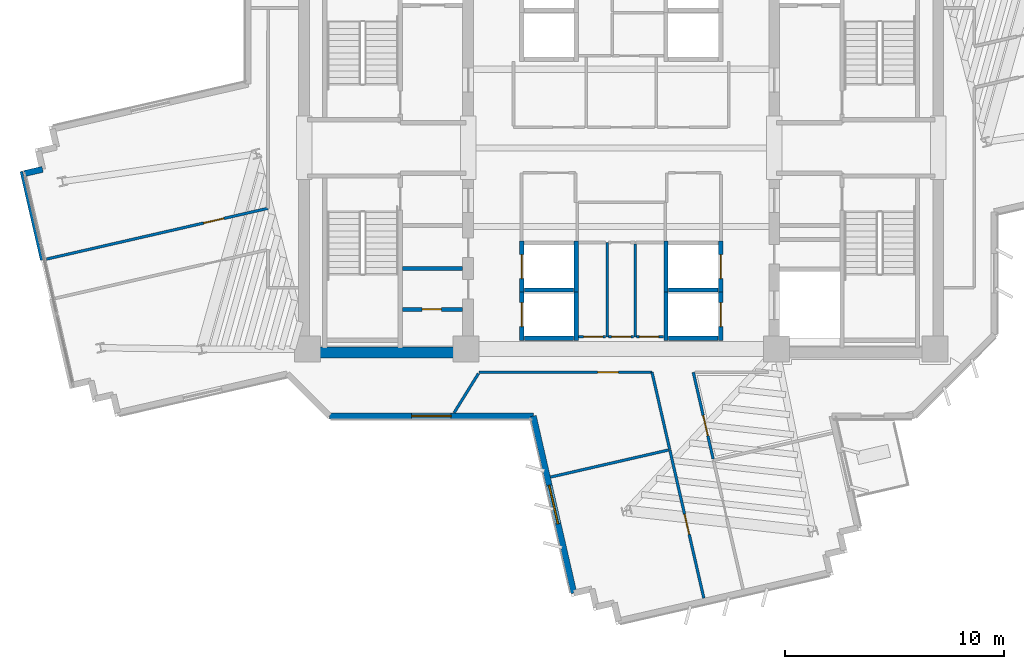
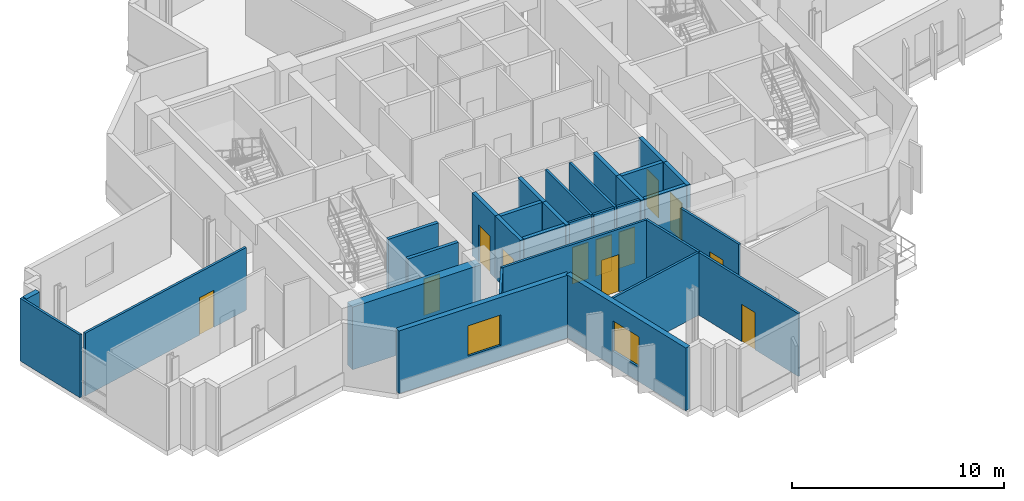
# One storey, part 6 of 13: 31 walls, 12 doors, 2 windows, 14 openings.
"""IFC4 building model written with IfcOpenShell, lengths in metres."""

from ifc_helpers import new_model, si_unit, direction, frame, frame_2d, origin, place, context, subcontext, project, spatial, rectangle, extrude, source, transform, mapped, material, layer, layer_set, type_object, element, fill, save


model = new_model("IFC4")

# Units and contexts
model_context = context("Model", 3, precision=1e-05, world=origin(), true_north=direction((0.0, 1.0)))
body_context = subcontext(model_context, "Body", "Model", "MODEL_VIEW")
ifc_project = project(units=[si_unit("LENGTHUNIT", "METRE"), si_unit("AREAUNIT", "SQUARE_METRE"), si_unit("VOLUMEUNIT", "CUBIC_METRE"), si_unit("PLANEANGLEUNIT", "RADIAN"), si_unit("MASSUNIT", "GRAM", prefix="KILO")], contexts=[model_context])

# Site, building, storey
site_placement = place(None, origin())
site = spatial("IfcSite", under=ifc_project, at=site_placement, CompositionType="ELEMENT")
building_placement = place(site_placement, origin())
building = spatial("IfcBuilding", under=site, at=building_placement, Name="Zahravan Cultural Tower", CompositionType="ELEMENT")
storey_placement = place(building_placement, frame((0.0, 0.0, 174.60009765625)))
storey = spatial("IfcBuildingStorey", under=building, at=storey_placement, Name="L40", CompositionType="ELEMENT", Elevation=174.60009765625)

# Wall, opening, window
ifc_material_1 = material(Name="Precast concrete C40/50", Category="concrete")
ifc_layer_1 = layer(ifc_material_1, 0.280029296875)
ifc_layer_set_1 = layer_set([ifc_layer_1], Name="Precast concrete C40/50")
wall_type_1 = type_object("IfcWallType", Name="EW-TC-280", PredefinedType="SOLIDWALL", material=ifc_layer_set_1)
wall_1_placement = place(storey_placement, frame((33.83740234375, 6.64111328125, 0.0), z_axis=(0.0, 0.0, 1.0), x_axis=(-0.223595405455, 0.974682047983, 0.0)))
wall_1 = element("IfcWall", 1, at=wall_1_placement, inside=storey, type_object=wall_type_1, Name="L40 Exterior Masonry Frame Wall 24", PredefinedType="SOLIDWALL", context=body_context, shape_type="SweptSolid", body=[
    extrude(rectangle(XDim=8.309326171875, YDim=0.280029296875, at=frame_2d((4.15478515625, 0.0))), origin(), (0.0, 0.0, 1.0), 3.619873046875),
])
opening_1_placement = place(wall_1_placement, frame((3.2548828125, 0.0, 0.85009765625)))
opening_1 = element("IfcOpeningElement", 2, at=opening_1_placement, cuts=wall_1, Name="Opening WN-02", PredefinedType="OPENING", context=body_context, shape_type="SweptSolid", body=[
    extrude(rectangle(XDim=1.800048828125, YDim=1.75, at=frame_2d((0.89990234375, 0.875))), frame((0.0, 0.14990234375, 0.0), z_axis=(0.0, -1.0, 0.0), x_axis=(1.0, 0.0, 0.0)), (0.0, 0.0, 1.0), 0.300048828125),
])
ifc_material_2 = material(Name="Low-E solar-control double glazing", Category="glass")
window_type = type_object("IfcWindowType", Name="WN-REC-1800X1750", PartitioningType="DOUBLE_PANEL_VERTICAL", PredefinedType="WINDOW", material=ifc_material_2)
shared_shape_1 = source(origin(), body_context, "Body", "SweptSolid", [
    extrude(rectangle(XDim=1.800048828125, YDim=1.75, at=frame_2d((0.89990234375, 0.875))), frame((0.0, 0.030029296875, 0.0), z_axis=(0.0, -1.0, 0.0), x_axis=(1.0, 0.0, 0.0)), (0.0, 0.0, 1.0), 0.06005859375),
])
window_1_placement = place(opening_1_placement, origin())
window_1 = element("IfcWindow", 3, at=window_1_placement, inside=storey, type_object=window_type, Name="L40 Recessed Solar Window 05", OverallHeight=1.75, OverallWidth=1.800048828125, PartitioningType="DOUBLE_PANEL_VERTICAL", PredefinedType="WINDOW", context=body_context, shape_type="MappedRepresentation", body=[
    mapped(shared_shape_1, transform((0.0, 0.0, 0.0), x_axis=(1.0, 0.0, 0.0), y_axis=(0.0, 1.0, 0.0), z_axis=(0.0, 0.0, 1.0), scale=1.0)),
])
fill(opening_1, window_1)

wall_2_placement = place(storey_placement, frame((31.9794921875, 14.739990234375, 0.0), z_axis=(0.0, 0.0, 1.0), x_axis=(-1.0, 0.0, 0.0)))
wall_2 = element("IfcWall", 4, at=wall_2_placement, inside=storey, type_object=wall_type_1, Name="L40 Exterior Masonry Frame Wall 25", PredefinedType="SOLIDWALL", context=body_context, shape_type="SweptSolid", body=[
    extrude(rectangle(XDim=9.321533203125, YDim=0.280029296875, at=frame_2d((4.66064453125, 0.0))), origin(), (0.0, 0.0, 1.0), 3.619873046875),
])
opening_2_placement = place(wall_2_placement, frame((3.760986328125, 0.0, 0.85009765625)))
opening_2 = element("IfcOpeningElement", 5, at=opening_2_placement, cuts=wall_2, Name="Opening WN-02", PredefinedType="OPENING", context=body_context, shape_type="SweptSolid", body=[
    extrude(rectangle(XDim=1.800048828125, YDim=1.75, at=frame_2d((0.89990234375, 0.875))), frame((0.0, 0.14990234375, 0.0), z_axis=(0.0, -1.0, 0.0), x_axis=(1.0, 0.0, 0.0)), (0.0, 0.0, 1.0), 0.300048828125),
])
window_2_placement = place(opening_2_placement, origin())
window_2 = element("IfcWindow", 6, at=window_2_placement, inside=storey, type_object=window_type, Name="L40 Recessed Solar Window 06", OverallHeight=1.75, OverallWidth=1.800048828125, PartitioningType="DOUBLE_PANEL_VERTICAL", PredefinedType="WINDOW", context=body_context, shape_type="MappedRepresentation", body=[
    mapped(shared_shape_1, transform((0.0, 0.0, 0.0), x_axis=(1.0, 0.0, 0.0), y_axis=(0.0, 1.0, 0.0), z_axis=(0.0, 0.0, 1.0), scale=1.0)),
])
fill(opening_2, window_2)

# Wall, opening, door
ifc_material_3 = material(Name="Gypsum plasterboard partition")
ifc_layer_2 = layer(ifc_material_3, 0.179931640625)
ifc_layer_set_2 = layer_set([ifc_layer_2], Name="Gypsum plasterboard partition")
wall_type_2 = type_object("IfcWallType", Name="W-COMP-180", PredefinedType="PARTITIONING", material=ifc_layer_set_2)
wall_3_placement = place(storey_placement, frame((26.0, 19.6201171875, 0.0), z_axis=(0.0, 0.0, 1.0), x_axis=(1.0, 0.0, 0.0)))
wall_3 = element("IfcWall", 7, at=wall_3_placement, inside=storey, type_object=wall_type_2, Name="L40 Interior Wall 026", PredefinedType="PARTITIONING", context=body_context, shape_type="SweptSolid", body=[
    extrude(rectangle(XDim=2.75, YDim=0.179931640625, at=frame_2d((1.375, 0.0))), origin(), (0.0, 0.0, 1.0), 3.619873046875),
])
opening_3_placement = place(wall_3_placement, frame((0.89990234375, 0.0, 0.0)))
opening_3 = element("IfcOpeningElement", 8, at=opening_3_placement, cuts=wall_3, Name="Opening D-L40-09", PredefinedType="OPENING", context=body_context, shape_type="SweptSolid", body=[
    extrude(rectangle(XDim=0.8798828125, YDim=2.10009765625, at=frame_2d((0.43994140625, 1.050048828125))), frame((0.0, 0.099853515625, 0.0), z_axis=(0.0, -1.0, 0.0), x_axis=(1.0, 0.0, 0.0)), (0.0, 0.0, 1.0), 0.199951171875),
])
ifc_material_4 = material(Name="Steel ASTM A572 Grade 50", Category="steel")
door_type_1 = type_object("IfcDoorType", Name="DR-SVC-880", OperationType="NOTDEFINED", PredefinedType="DOOR", material=ifc_material_4)
shared_shape_2 = source(origin(), body_context, "Body", "SweptSolid", [
    extrude(rectangle(XDim=0.8798828125, YDim=2.10009765625, at=frame_2d((0.43994140625, 1.050048828125))), frame((0.0, 0.02490234375, 0.0), z_axis=(0.0, -1.0, 0.0), x_axis=(1.0, 0.0, 0.0)), (0.0, 0.0, 1.0), 0.050048828125),
])
door_1_placement = place(opening_3_placement, origin())
door_1 = element("IfcDoor", 9, at=door_1_placement, inside=storey, type_object=door_type_1, Name="L40 Door D-L40-09", OperationType="SINGLE_SWING_RIGHT", OverallHeight=2.10009765625, OverallWidth=0.8798828125, PredefinedType="DOOR", context=body_context, shape_type="MappedRepresentation", body=[
    mapped(shared_shape_2, transform((0.0, 0.0, 0.0), x_axis=(1.0, 0.0, 0.0), y_axis=(0.0, 1.0, 0.0), z_axis=(0.0, 0.0, 1.0), scale=1.0)),
])
fill(opening_3, door_1)

ifc_layer_3 = layer(ifc_material_3, 0.125)
ifc_layer_set_3 = layer_set([ifc_layer_3], Name="Gypsum plasterboard partition")
wall_type_3 = type_object("IfcWallType", Name="W-PART-125", PredefinedType="PARTITIONING", material=ifc_layer_set_3)
wall_4_placement = place(storey_placement, frame((36.572509765625, 18.360107421875, 0.0), z_axis=(0.0, 0.0, 1.0), x_axis=(-1.0, 0.0, 0.0)))
wall_4 = element("IfcWall", 10, at=wall_4_placement, inside=storey, type_object=wall_type_3, Name="L40 Interior Wall 065", PredefinedType="PARTITIONING", context=body_context, shape_type="SweptSolid", body=[
    extrude(rectangle(XDim=1.14501953125, YDim=0.125, at=frame_2d((0.572509765625, 0.0))), origin(), (0.0, 0.0, 1.0), 3.619873046875),
])
opening_4_placement = place(wall_4_placement, frame((0.132568359375, 0.0, 0.0)))
opening_4 = element("IfcOpeningElement", 11, at=opening_4_placement, cuts=wall_4, Name="Opening D-L40-21", PredefinedType="OPENING", context=body_context, shape_type="SweptSolid", body=[
    extrude(rectangle(XDim=0.8798828125, YDim=2.10009765625, at=frame_2d((0.43994140625, 1.050048828125))), frame((0.0, 0.072509765625, 0.0), z_axis=(0.0, -1.0, 0.0), x_axis=(1.0, 0.0, 0.0)), (0.0, 0.0, 1.0), 0.14501953125),
])
ifc_material_5 = material(Name="Anodised bronze-aluminium mullion", Category="aluminium")
door_type_2 = type_object("IfcDoorType", Name="DR-ROOM-880", OperationType="NOTDEFINED", PredefinedType="DOOR", material=ifc_material_5)
door_2_placement = place(opening_4_placement, origin())
door_2 = element("IfcDoor", 12, at=door_2_placement, inside=storey, type_object=door_type_2, Name="L40 Door D-L40-21", OperationType="SINGLE_SWING_RIGHT", OverallHeight=2.10009765625, OverallWidth=0.8798828125, PredefinedType="DOOR", context=body_context, shape_type="MappedRepresentation", body=[
    mapped(shared_shape_2, transform((0.0, 0.0, 0.0), x_axis=(1.0, 0.0, 0.0), y_axis=(0.0, 1.0, 0.0), z_axis=(0.0, 0.0, 1.0), scale=1.0)),
])
fill(opening_4, door_2)

wall_5_placement = place(storey_placement, frame((35.29248046875, 18.360107421875, 0.0), z_axis=(0.0, 0.0, 1.0), x_axis=(-1.0, 0.0, 0.0)))
wall_5 = element("IfcWall", 13, at=wall_5_placement, inside=storey, type_object=wall_type_3, Name="L40 Interior Wall 067", PredefinedType="PARTITIONING", context=body_context, shape_type="SweptSolid", body=[
    extrude(rectangle(XDim=1.237548828125, YDim=0.125, at=frame_2d((0.61865234375, 0.0))), origin(), (0.0, 0.0, 1.0), 3.619873046875),
])
opening_5_placement = place(wall_5_placement, frame((0.125, 0.0, 0.0)))
opening_5 = element("IfcOpeningElement", 14, at=opening_5_placement, cuts=wall_5, Name="Opening D-L40-20", PredefinedType="OPENING", context=body_context, shape_type="SweptSolid", body=[
    extrude(rectangle(XDim=0.8798828125, YDim=2.10009765625, at=frame_2d((0.43994140625, 1.050048828125))), frame((0.0, 0.072509765625, 0.0), z_axis=(0.0, -1.0, 0.0), x_axis=(1.0, 0.0, 0.0)), (0.0, 0.0, 1.0), 0.14501953125),
])
door_3_placement = place(opening_5_placement, origin())
door_3 = element("IfcDoor", 15, at=door_3_placement, inside=storey, type_object=door_type_2, Name="L40 Door D-L40-20", OperationType="SINGLE_SWING_LEFT", OverallHeight=2.10009765625, OverallWidth=0.8798828125, PredefinedType="DOOR", context=body_context, shape_type="MappedRepresentation", body=[
    mapped(shared_shape_2, transform((0.0, 0.0, 0.0), x_axis=(1.0, 0.0, 0.0), y_axis=(0.0, 1.0, 0.0), z_axis=(0.0, 0.0, 1.0), scale=1.0)),
])
fill(opening_5, door_3)

wall_6_placement = place(storey_placement, frame((37.945068359375, 18.360107421875, 0.0), z_axis=(0.0, 0.0, 1.0), x_axis=(-1.0, 0.0, 0.0)))
wall_6 = element("IfcWall", 16, at=wall_6_placement, inside=storey, type_object=wall_type_3, Name="L40 Interior Wall 069", PredefinedType="PARTITIONING", context=body_context, shape_type="SweptSolid", body=[
    extrude(rectangle(XDim=1.237548828125, YDim=0.125, at=frame_2d((0.61865234375, 0.0))), origin(), (0.0, 0.0, 1.0), 3.619873046875),
])
opening_6_placement = place(wall_6_placement, frame((0.232421875, 0.0, 0.0)))
opening_6 = element("IfcOpeningElement", 17, at=opening_6_placement, cuts=wall_6, Name="Opening D-L40-22", PredefinedType="OPENING", context=body_context, shape_type="SweptSolid", body=[
    extrude(rectangle(XDim=0.8798828125, YDim=2.10009765625, at=frame_2d((0.43994140625, 1.050048828125))), frame((0.0, 0.072509765625, 0.0), z_axis=(0.0, -1.0, 0.0), x_axis=(1.0, 0.0, 0.0)), (0.0, 0.0, 1.0), 0.14501953125),
])
door_4_placement = place(opening_6_placement, origin())
door_4 = element("IfcDoor", 18, at=door_4_placement, inside=storey, type_object=door_type_2, Name="L40 Door D-L40-22", OperationType="SINGLE_SWING_LEFT", OverallHeight=2.10009765625, OverallWidth=0.8798828125, PredefinedType="DOOR", context=body_context, shape_type="MappedRepresentation", body=[
    mapped(shared_shape_2, transform((0.0, 0.0, 0.0), x_axis=(1.0, 0.0, 0.0), y_axis=(0.0, 1.0, 0.0), z_axis=(0.0, 0.0, 1.0), scale=1.0)),
])
fill(opening_6, door_4)

wall_7_placement = place(storey_placement, frame((29.487548828125, 16.739990234375, 0.0), z_axis=(0.0, 0.0, 1.0), x_axis=(1.0, 0.0, 0.0)))
wall_7 = element("IfcWall", 19, at=wall_7_placement, inside=storey, type_object=wall_type_3, Name="L40 Interior Wall 088", PredefinedType="PARTITIONING", context=body_context, shape_type="SweptSolid", body=[
    extrude(rectangle(XDim=7.922119140625, YDim=0.125, at=frame_2d((3.9609375, 0.0))), origin(), (0.0, 0.0, 1.0), 3.619873046875),
])
opening_7_placement = place(wall_7_placement, frame((5.438232421875, 0.0, 0.0)))
opening_7 = element("IfcOpeningElement", 20, at=opening_7_placement, cuts=wall_7, Name="Opening D-L40-28", PredefinedType="OPENING", context=body_context, shape_type="SweptSolid", body=[
    extrude(rectangle(XDim=0.949951171875, YDim=2.14990234375, at=frame_2d((0.47509765625, 1.074951171875))), frame((0.0, 0.072509765625, 0.0), z_axis=(0.0, -1.0, 0.0), x_axis=(1.0, 0.0, 0.0)), (0.0, 0.0, 1.0), 0.14501953125),
])
door_type_3 = type_object("IfcDoorType", Name="DR-ROOM-950", OperationType="NOTDEFINED", PredefinedType="DOOR", material=ifc_material_5)
shared_shape_3 = source(origin(), body_context, "Body", "SweptSolid", [
    extrude(rectangle(XDim=0.949951171875, YDim=2.14990234375, at=frame_2d((0.47509765625, 1.074951171875))), frame((0.0, 0.02490234375, 0.0), z_axis=(0.0, -1.0, 0.0), x_axis=(1.0, 0.0, 0.0)), (0.0, 0.0, 1.0), 0.050048828125),
])
door_5_placement = place(opening_7_placement, origin())
door_5 = element("IfcDoor", 21, at=door_5_placement, inside=storey, type_object=door_type_3, Name="L40 Door D-L40-28", OperationType="SINGLE_SWING_LEFT", OverallHeight=2.14990234375, OverallWidth=0.949951171875, PredefinedType="DOOR", context=body_context, shape_type="MappedRepresentation", body=[
    mapped(shared_shape_3, transform((0.0, 0.0, 0.0), x_axis=(1.0, 0.0, 0.0), y_axis=(0.0, 1.0, 0.0), z_axis=(0.0, 0.0, 1.0), scale=1.0)),
])
fill(opening_7, door_5)

wall_8_placement = place(storey_placement, frame((40.206298828125, 12.778076171875, 0.0), z_axis=(0.0, 0.0, 1.0), x_axis=(-0.223552104445, 0.97469198037, 0.0)))
wall_8 = element("IfcWall", 22, at=wall_8_placement, inside=storey, type_object=wall_type_3, Name="L40 Interior Wall 094", PredefinedType="PARTITIONING", context=body_context, shape_type="SweptSolid", body=[
    extrude(rectangle(XDim=4.064697265625, YDim=0.125, at=frame_2d((2.0322265625, 0.0))), origin(), (0.0, 0.0, 1.0), 3.619873046875),
])
opening_8_placement = place(wall_8_placement, frame((1.090087890625, 0.0, 0.0)))
opening_8 = element("IfcOpeningElement", 23, at=opening_8_placement, cuts=wall_8, Name="Opening D-L40-30", PredefinedType="OPENING", context=body_context, shape_type="SweptSolid", body=[
    extrude(rectangle(XDim=0.949951171875, YDim=2.14990234375, at=frame_2d((0.47509765625, 1.074951171875))), frame((0.0, 0.072509765625, 0.0), z_axis=(0.0, -1.0, 0.0), x_axis=(1.0, 0.0, 0.0)), (0.0, 0.0, 1.0), 0.14501953125),
])
door_6_placement = place(opening_8_placement, origin())
door_6 = element("IfcDoor", 24, at=door_6_placement, inside=storey, type_object=door_type_3, Name="L40 Door D-L40-30", OperationType="SINGLE_SWING_LEFT", OverallHeight=2.14990234375, OverallWidth=0.949951171875, PredefinedType="DOOR", context=body_context, shape_type="MappedRepresentation", body=[
    mapped(shared_shape_3, transform((0.0, 0.0, 0.0), x_axis=(1.0, 0.0, 0.0), y_axis=(0.0, 1.0, 0.0), z_axis=(0.0, 0.0, 1.0), scale=1.0)),
])
fill(opening_8, door_6)

wall_9_placement = place(storey_placement, frame((38.226806640625, 13.177978515625, 0.0), z_axis=(0.0, 0.0, 1.0), x_axis=(0.223573066544, -0.974687172336, 0.0)))
wall_9 = element("IfcWall", 25, at=wall_9_placement, inside=storey, type_object=wall_type_3, Name="L40 Interior Wall 096", PredefinedType="PARTITIONING", context=body_context, shape_type="SweptSolid", body=[
    extrude(rectangle(XDim=6.945068359375, YDim=0.125, at=frame_2d((3.47265625, 0.0))), origin(), (0.0, 0.0, 1.0), 3.619873046875),
])
opening_9_placement = place(wall_9_placement, frame((2.99755859375, 0.0, 0.0)))
opening_9 = element("IfcOpeningElement", 26, at=opening_9_placement, cuts=wall_9, Name="Opening D-L40-29", PredefinedType="OPENING", context=body_context, shape_type="SweptSolid", body=[
    extrude(rectangle(XDim=0.949951171875, YDim=2.14990234375, at=frame_2d((0.47509765625, 1.074951171875))), frame((0.0, 0.072509765625, 0.0), z_axis=(0.0, -1.0, 0.0), x_axis=(1.0, 0.0, 0.0)), (0.0, 0.0, 1.0), 0.14501953125),
])
door_7_placement = place(opening_9_placement, origin())
door_7 = element("IfcDoor", 27, at=door_7_placement, inside=storey, type_object=door_type_3, Name="L40 Door D-L40-29", OperationType="SINGLE_SWING_RIGHT", OverallHeight=2.14990234375, OverallWidth=0.949951171875, PredefinedType="DOOR", context=body_context, shape_type="MappedRepresentation", body=[
    mapped(shared_shape_3, transform((0.0, 0.0, 0.0), x_axis=(1.0, 0.0, 0.0), y_axis=(0.0, 1.0, 0.0), z_axis=(0.0, 0.0, 1.0), scale=1.0)),
])
fill(opening_9, door_7)

wall_10_placement = place(storey_placement, frame((19.85009765625, 24.239013671875, 0.0), z_axis=(0.0, 0.0, 1.0), x_axis=(-0.974685214681, -0.223581600949, 0.0)))
wall_10 = element("IfcWall", 28, at=wall_10_placement, inside=storey, type_object=wall_type_3, Name="L40 Interior Wall 098", PredefinedType="PARTITIONING", context=body_context, shape_type="SweptSolid", body=[
    extrude(rectangle(XDim=10.396484375, YDim=0.125, at=frame_2d((5.1982421875, 0.0))), origin(), (0.0, 0.0, 1.0), 3.619873046875),
])
opening_10_placement = place(wall_10_placement, frame((2.078125, 0.0, 0.0)))
opening_10 = element("IfcOpeningElement", 29, at=opening_10_placement, cuts=wall_10, Name="Opening D-L40-26", PredefinedType="OPENING", context=body_context, shape_type="SweptSolid", body=[
    extrude(rectangle(XDim=0.949951171875, YDim=2.14990234375, at=frame_2d((0.47509765625, 1.074951171875))), frame((0.0, 0.072509765625, 0.0), z_axis=(0.0, -1.0, 0.0), x_axis=(1.0, 0.0, 0.0)), (0.0, 0.0, 1.0), 0.14501953125),
])
door_8_placement = place(opening_10_placement, origin())
door_8 = element("IfcDoor", 30, at=door_8_placement, inside=storey, type_object=door_type_3, Name="L40 Door D-L40-26", OperationType="SINGLE_SWING_LEFT", OverallHeight=2.14990234375, OverallWidth=0.949951171875, PredefinedType="DOOR", context=body_context, shape_type="MappedRepresentation", body=[
    mapped(shared_shape_3, transform((0.0, 0.0, 0.0), x_axis=(1.0, 0.0, 0.0), y_axis=(0.0, 1.0, 0.0), z_axis=(0.0, 0.0, 1.0), scale=1.0)),
])
fill(opening_10, door_8)

ifc_material_6 = material(Name="Concrete C45/55", Category="concrete")
ifc_layer_4 = layer(ifc_material_6, 0.199951171875)
ifc_layer_set_4 = layer_set([ifc_layer_4], Name="Concrete C45/55")
wall_type_4 = type_object("IfcWallType", Name="W-SHAFT-200", PredefinedType="SOLIDWALL", material=ifc_layer_set_4)
wall_11_placement = place(storey_placement, frame((31.449951171875, 20.39990234375, 0.0), z_axis=(0.0, 0.0, 1.0), x_axis=(0.0, 1.0, 0.0)))
wall_11 = element("IfcWall", 31, at=wall_11_placement, inside=storey, type_object=wall_type_4, Name="L40 Interior Wall 043", PredefinedType="SOLIDWALL", context=body_context, shape_type="SweptSolid", body=[
    extrude(rectangle(XDim=2.35009765625, YDim=0.199951171875, at=frame_2d((1.175048828125, 0.0))), origin(), (0.0, 0.0, 1.0), 3.619873046875),
])
opening_11_placement = place(wall_11_placement, frame((0.625, 0.0, 0.0)))
opening_11 = element("IfcOpeningElement", 32, at=opening_11_placement, cuts=wall_11, Name="Opening LD-L40-04", PredefinedType="OPENING", context=body_context, shape_type="SweptSolid", body=[
    extrude(rectangle(XDim=1.10009765625, YDim=2.14990234375, at=frame_2d((0.550048828125, 1.074951171875))), frame((0.0, 0.10986328125, 0.0), z_axis=(0.0, -1.0, 0.0), x_axis=(1.0, 0.0, 0.0)), (0.0, 0.0, 1.0), 0.219970703125),
])
door_type_4 = type_object("IfcDoorType", Name="DR-LIFT-1100", OperationType="DOUBLE_DOOR_SLIDING", PredefinedType="DOOR", material=ifc_material_4)
shared_shape_4 = source(origin(), body_context, "Body", "SweptSolid", [
    extrude(rectangle(XDim=1.10009765625, YDim=2.14990234375, at=frame_2d((0.550048828125, 1.074951171875))), frame((0.0, 0.02490234375, 0.0), z_axis=(0.0, -1.0, 0.0), x_axis=(1.0, 0.0, 0.0)), (0.0, 0.0, 1.0), 0.050048828125),
])
door_9_placement = place(opening_11_placement, origin())
door_9 = element("IfcDoor", 33, at=door_9_placement, inside=storey, type_object=door_type_4, Name="L40 Door LD-L40-04", OperationType="DOUBLE_DOOR_SLIDING", OverallHeight=2.14990234375, OverallWidth=1.10009765625, PredefinedType="DOOR", context=body_context, shape_type="MappedRepresentation", body=[
    mapped(shared_shape_4, transform((0.0, 0.0, 0.0), x_axis=(1.0, 0.0, 0.0), y_axis=(0.0, 1.0, 0.0), z_axis=(0.0, 0.0, 1.0), scale=1.0)),
])
fill(opening_11, door_9)

wall_12_placement = place(storey_placement, frame((31.449951171875, 18.199951171875, 0.0), z_axis=(0.0, 0.0, 1.0), x_axis=(0.0, 1.0, 0.0)))
wall_12 = element("IfcWall", 34, at=wall_12_placement, inside=storey, type_object=wall_type_4, Name="L40 Interior Wall 047", PredefinedType="SOLIDWALL", context=body_context, shape_type="SweptSolid", body=[
    extrude(rectangle(XDim=2.35009765625, YDim=0.199951171875, at=frame_2d((1.175048828125, 0.0))), origin(), (0.0, 0.0, 1.0), 3.619873046875),
])
opening_12_placement = place(wall_12_placement, frame((0.625, 0.0, 0.0)))
opening_12 = element("IfcOpeningElement", 35, at=opening_12_placement, cuts=wall_12, Name="Opening LD-L40-05", PredefinedType="OPENING", context=body_context, shape_type="SweptSolid", body=[
    extrude(rectangle(XDim=1.10009765625, YDim=2.14990234375, at=frame_2d((0.550048828125, 1.074951171875))), frame((0.0, 0.10986328125, 0.0), z_axis=(0.0, -1.0, 0.0), x_axis=(1.0, 0.0, 0.0)), (0.0, 0.0, 1.0), 0.219970703125),
])
door_10_placement = place(opening_12_placement, origin())
door_10 = element("IfcDoor", 36, at=door_10_placement, inside=storey, type_object=door_type_4, Name="L40 Door LD-L40-05", OperationType="DOUBLE_DOOR_SLIDING", OverallHeight=2.14990234375, OverallWidth=1.10009765625, PredefinedType="DOOR", context=body_context, shape_type="MappedRepresentation", body=[
    mapped(shared_shape_4, transform((0.0, 0.0, 0.0), x_axis=(1.0, 0.0, 0.0), y_axis=(0.0, 1.0, 0.0), z_axis=(0.0, 0.0, 1.0), scale=1.0)),
])
fill(opening_12, door_10)

wall_13_placement = place(storey_placement, frame((40.550048828125, 20.39990234375, 0.0), z_axis=(0.0, 0.0, 1.0), x_axis=(0.0, 1.0, 0.0)))
wall_13 = element("IfcWall", 37, at=wall_13_placement, inside=storey, type_object=wall_type_4, Name="L40 Interior Wall 051", PredefinedType="SOLIDWALL", context=body_context, shape_type="SweptSolid", body=[
    extrude(rectangle(XDim=2.35009765625, YDim=0.199951171875, at=frame_2d((1.175048828125, 0.0))), origin(), (0.0, 0.0, 1.0), 3.619873046875),
])
opening_13_placement = place(wall_13_placement, frame((0.625, 0.0, 0.0)))
opening_13 = element("IfcOpeningElement", 38, at=opening_13_placement, cuts=wall_13, Name="Opening LD-L40-06", PredefinedType="OPENING", context=body_context, shape_type="SweptSolid", body=[
    extrude(rectangle(XDim=1.10009765625, YDim=2.14990234375, at=frame_2d((0.550048828125, 1.074951171875))), frame((0.0, 0.10986328125, 0.0), z_axis=(0.0, -1.0, 0.0), x_axis=(1.0, 0.0, 0.0)), (0.0, 0.0, 1.0), 0.219970703125),
])
door_11_placement = place(opening_13_placement, origin())
door_11 = element("IfcDoor", 39, at=door_11_placement, inside=storey, type_object=door_type_4, Name="L40 Door LD-L40-06", OperationType="DOUBLE_DOOR_SLIDING", OverallHeight=2.14990234375, OverallWidth=1.10009765625, PredefinedType="DOOR", context=body_context, shape_type="MappedRepresentation", body=[
    mapped(shared_shape_4, transform((0.0, 0.0, 0.0), x_axis=(1.0, 0.0, 0.0), y_axis=(0.0, 1.0, 0.0), z_axis=(0.0, 0.0, 1.0), scale=1.0)),
])
fill(opening_13, door_11)

wall_14_placement = place(storey_placement, frame((40.550048828125, 18.199951171875, 0.0), z_axis=(0.0, 0.0, 1.0), x_axis=(0.0, 1.0, 0.0)))
wall_14 = element("IfcWall", 40, at=wall_14_placement, inside=storey, type_object=wall_type_4, Name="L40 Interior Wall 055", PredefinedType="SOLIDWALL", context=body_context, shape_type="SweptSolid", body=[
    extrude(rectangle(XDim=2.35009765625, YDim=0.199951171875, at=frame_2d((1.175048828125, 0.0))), origin(), (0.0, 0.0, 1.0), 3.619873046875),
])
opening_14_placement = place(wall_14_placement, frame((0.625, 0.0, 0.0)))
opening_14 = element("IfcOpeningElement", 41, at=opening_14_placement, cuts=wall_14, Name="Opening LD-L40-07", PredefinedType="OPENING", context=body_context, shape_type="SweptSolid", body=[
    extrude(rectangle(XDim=1.10009765625, YDim=2.14990234375, at=frame_2d((0.550048828125, 1.074951171875))), frame((0.0, 0.10986328125, 0.0), z_axis=(0.0, -1.0, 0.0), x_axis=(1.0, 0.0, 0.0)), (0.0, 0.0, 1.0), 0.219970703125),
])
door_12_placement = place(opening_14_placement, origin())
door_12 = element("IfcDoor", 42, at=door_12_placement, inside=storey, type_object=door_type_4, Name="L40 Door LD-L40-07", OperationType="DOUBLE_DOOR_SLIDING", OverallHeight=2.14990234375, OverallWidth=1.10009765625, PredefinedType="DOOR", context=body_context, shape_type="MappedRepresentation", body=[
    mapped(shared_shape_4, transform((0.0, 0.0, 0.0), x_axis=(1.0, 0.0, 0.0), y_axis=(0.0, 1.0, 0.0), z_axis=(0.0, 0.0, 1.0), scale=1.0)),
])
fill(opening_14, door_12)

# Walls
ifc_material_7 = material(Name="Concrete C60/75", Category="concrete")
ifc_layer_5 = layer(ifc_material_7, 0.5)
ifc_layer_set_5 = layer_set([ifc_layer_5], Name="Concrete C60/75")
wall_type_5 = type_object("IfcWallType", Name="CW-SHEAR-500-C60", PredefinedType="SHEAR", material=ifc_layer_set_5)
shared_shape_5 = source(origin(), body_context, "Body", "SweptSolid", [
    extrude(rectangle(XDim=7.0, YDim=0.5, at=frame_2d((3.5, 0.0))), origin(), (0.0, 0.0, 1.0), 3.619873046875),
])
wall_15_placement = place(storey_placement, frame((21.75, 17.64990234375, 0.0), z_axis=(0.0, 0.0, 1.0), x_axis=(1.0, 0.0, 0.0)))
element("IfcWall", 43, at=wall_15_placement, inside=storey, type_object=wall_type_5, Name="L40 Core Shear Wall CW-W-S-L40", PredefinedType="SHEAR", context=body_context, shape_type="MappedRepresentation", body=[
    mapped(shared_shape_5, transform((0.0, 0.0, 0.0), x_axis=(1.0, 0.0, 0.0), y_axis=(0.0, 1.0, 0.0), z_axis=(0.0, 0.0, 1.0), scale=1.0)),
])
shared_shape_6 = source(origin(), body_context, "Body", "SweptSolid", [
    extrude(rectangle(XDim=0.849853515625, YDim=0.280029296875, at=frame_2d((0.4248046875, 0.0))), origin(), (0.0, 0.0, 1.0), 3.619873046875),
])
wall_16_placement = place(storey_placement, frame((8.7109375, 25.828857421875, 0.0), z_axis=(0.0, 0.0, 1.0), x_axis=(0.974704946586, 0.223495563939, 0.0)))
element("IfcWall", 44, at=wall_16_placement, inside=storey, type_object=wall_type_1, Name="L40 Exterior Masonry Frame Wall 32", PredefinedType="SOLIDWALL", context=body_context, shape_type="MappedRepresentation", body=[
    mapped(shared_shape_6, transform((0.0, 0.0, 0.0), x_axis=(1.0, 0.0, 0.0), y_axis=(0.0, 1.0, 0.0), z_axis=(0.0, 0.0, 1.0), scale=1.0)),
])
shared_shape_7 = source(origin(), body_context, "Body", "SweptSolid", [
    extrude(rectangle(XDim=2.75, YDim=0.179931640625, at=frame_2d((1.375, 0.0))), origin(), (0.0, 0.0, 1.0), 3.619873046875),
])
wall_17_placement = place(storey_placement, frame((26.0, 21.47998046875, 0.0), z_axis=(0.0, 0.0, 1.0), x_axis=(1.0, 0.0, 0.0)))
element("IfcWall", 45, at=wall_17_placement, inside=storey, type_object=wall_type_2, Name="L40 Interior Wall 027", PredefinedType="PARTITIONING", context=body_context, shape_type="MappedRepresentation", body=[
    mapped(shared_shape_7, transform((0.0, 0.0, 0.0), x_axis=(1.0, 0.0, 0.0), y_axis=(0.0, 1.0, 0.0), z_axis=(0.0, 0.0, 1.0), scale=1.0)),
])
shared_shape_8 = source(origin(), body_context, "Body", "SweptSolid", [
    extrude(rectangle(XDim=2.260009765625, YDim=0.199951171875, at=frame_2d((1.1298828125, 0.0))), origin(), (0.0, 0.0, 1.0), 3.619873046875),
])
for number, where, z_axis, x_axis, name in (
    (46, (31.570068359375, 20.5, 0.0), (0.0, 0.0, 1.0), (1.0, 0.0, 0.0), "L40 Interior Wall 045"),
    (47, (31.570068359375, 18.300048828125, 0.0), (0.0, 0.0, 1.0), (1.0, 0.0, 0.0), "L40 Interior Wall 049"),
    (48, (38.169921875, 20.5, 0.0), (0.0, 0.0, 1.0), (1.0, 0.0, 0.0), "L40 Interior Wall 052"),
    (49, (38.169921875, 18.300048828125, 0.0), (0.0, 0.0, 1.0), (1.0, 0.0, 0.0), "L40 Interior Wall 056"),
):
    element("IfcWall", number, at=place(storey_placement, frame(where, z_axis=z_axis, x_axis=x_axis)), inside=storey, type_object=wall_type_4, Name=name, PredefinedType="SOLIDWALL", context=body_context, shape_type="MappedRepresentation", body=[
        mapped(shared_shape_8, transform((0.0, 0.0, 0.0), x_axis=(1.0, 0.0, 0.0), y_axis=(0.0, 1.0, 0.0), z_axis=(0.0, 0.0, 1.0), scale=1.0)),
    ])
shared_shape_9 = source(origin(), body_context, "Body", "SweptSolid", [
    extrude(rectangle(XDim=2.35009765625, YDim=0.199951171875, at=frame_2d((1.175048828125, 0.0))), origin(), (0.0, 0.0, 1.0), 3.619873046875),
])
for number, where, z_axis, x_axis, name in (
    (50, (33.949951171875, 20.39990234375, 0.0), (0.0, 0.0, 1.0), (0.0, 1.0, 0.0), "L40 Interior Wall 044"),
    (51, (33.949951171875, 18.199951171875, 0.0), (0.0, 0.0, 1.0), (0.0, 1.0, 0.0), "L40 Interior Wall 048"),
    (52, (38.050048828125, 20.39990234375, 0.0), (0.0, 0.0, 1.0), (0.0, 1.0, 0.0), "L40 Interior Wall 050"),
    (53, (38.050048828125, 18.199951171875, 0.0), (0.0, 0.0, 1.0), (0.0, 1.0, 0.0), "L40 Interior Wall 054"),
):
    element("IfcWall", number, at=place(storey_placement, frame(where, z_axis=z_axis, x_axis=x_axis)), inside=storey, type_object=wall_type_4, Name=name, PredefinedType="SOLIDWALL", context=body_context, shape_type="MappedRepresentation", body=[
        mapped(shared_shape_9, transform((0.0, 0.0, 0.0), x_axis=(1.0, 0.0, 0.0), y_axis=(0.0, 1.0, 0.0), z_axis=(0.0, 0.0, 1.0), scale=1.0)),
    ])
shared_shape_10 = source(origin(), body_context, "Body", "SweptSolid", [
    extrude(rectangle(XDim=5.52734375, YDim=0.125, at=frame_2d((2.763671875, 0.0))), origin(), (0.0, 0.0, 1.0), 3.619873046875),
])
wall_18_placement = place(storey_placement, frame((38.156494140625, 13.182373046875, 0.0), z_axis=(0.0, 0.0, 1.0), x_axis=(-0.974684411123, -0.223585103961, 0.0)))
element("IfcWall", 54, at=wall_18_placement, inside=storey, type_object=wall_type_3, Name="L40 Interior Wall 090", PredefinedType="PARTITIONING", context=body_context, shape_type="MappedRepresentation", body=[
    mapped(shared_shape_10, transform((0.0, 0.0, 0.0), x_axis=(1.0, 0.0, 0.0), y_axis=(0.0, 1.0, 0.0), z_axis=(0.0, 0.0, 1.0), scale=1.0)),
])
shared_shape_11 = source(origin(), body_context, "Body", "SweptSolid", [
    extrude(rectangle(XDim=4.159912109375, YDim=0.125, at=frame_2d((2.080078125, 0.0))), origin(), (0.0, 0.0, 1.0), 3.619873046875),
])
wall_19_placement = place(storey_placement, frame((9.497314453125, 21.8642578125, 0.0), z_axis=(0.0, 0.0, 1.0), x_axis=(-0.223599186995, 0.974681180477, 0.0)))
element("IfcWall", 55, at=wall_19_placement, inside=storey, type_object=wall_type_3, Name="L40 Interior Wall 099", PredefinedType="PARTITIONING", context=body_context, shape_type="MappedRepresentation", body=[
    mapped(shared_shape_11, transform((0.0, 0.0, 0.0), x_axis=(1.0, 0.0, 0.0), y_axis=(0.0, 1.0, 0.0), z_axis=(0.0, 0.0, 1.0), scale=1.0)),
])
shared_shape_12 = source(origin(), body_context, "Body", "SweptSolid", [
    extrude(rectangle(XDim=4.31982421875, YDim=0.125, at=frame_2d((2.159912109375, 0.0))), origin(), (0.0, 0.0, 1.0), 3.619873046875),
])
wall_20_placement = place(storey_placement, frame((35.360107421875, 18.360107421875, 0.0), z_axis=(0.0, 0.0, 1.0), x_axis=(0.0, 1.0, 0.0)))
element("IfcWall", 56, at=wall_20_placement, inside=storey, type_object=wall_type_3, Name="L40 Interior Wall 062", PredefinedType="PARTITIONING", context=body_context, shape_type="MappedRepresentation", body=[
    mapped(shared_shape_12, transform((0.0, 0.0, 0.0), x_axis=(1.0, 0.0, 0.0), y_axis=(0.0, 1.0, 0.0), z_axis=(0.0, 0.0, 1.0), scale=1.0)),
])
shared_shape_13 = source(origin(), body_context, "Body", "SweptSolid", [
    extrude(rectangle(XDim=4.25244140625, YDim=0.125, at=frame_2d((2.126220703125, 0.0))), origin(), (0.0, 0.0, 1.0), 3.619873046875),
])
wall_21_placement = place(storey_placement, frame((36.639892578125, 22.612548828125, 0.0), z_axis=(0.0, 0.0, 1.0), x_axis=(0.0, -1.0, 0.0)))
element("IfcWall", 57, at=wall_21_placement, inside=storey, type_object=wall_type_3, Name="L40 Interior Wall 064", PredefinedType="PARTITIONING", context=body_context, shape_type="MappedRepresentation", body=[
    mapped(shared_shape_13, transform((0.0, 0.0, 0.0), x_axis=(1.0, 0.0, 0.0), y_axis=(0.0, 1.0, 0.0), z_axis=(0.0, 0.0, 1.0), scale=1.0)),
])
shared_shape_14 = source(origin(), body_context, "Body", "SweptSolid", [
    extrude(rectangle(XDim=3.634521484375, YDim=0.125, at=frame_2d((1.8173828125, 0.0))), origin(), (0.0, 0.0, 1.0), 3.619873046875),
])
wall_22_placement = place(storey_placement, frame((37.40966796875, 16.739990234375, 0.0), z_axis=(0.0, 0.0, 1.0), x_axis=(0.223618137603, -0.974676832871, 0.0)))
element("IfcWall", 58, at=wall_22_placement, inside=storey, type_object=wall_type_3, Name="L40 Interior Wall 089", PredefinedType="PARTITIONING", context=body_context, shape_type="MappedRepresentation", body=[
    mapped(shared_shape_14, transform((0.0, 0.0, 0.0), x_axis=(1.0, 0.0, 0.0), y_axis=(0.0, 1.0, 0.0), z_axis=(0.0, 0.0, 1.0), scale=1.0)),
])
shared_shape_15 = source(origin(), body_context, "Body", "SweptSolid", [
    extrude(rectangle(XDim=2.10986328125, YDim=0.125, at=frame_2d((1.054931640625, 0.0))), origin(), (0.0, 0.0, 1.0), 3.619873046875),
])
wall_23_placement = place(storey_placement, frame((28.35791015625, 14.885009765625, 0.0), z_axis=(0.0, 0.0, 1.0), x_axis=(0.527083427868, 0.849813544295, 0.0)))
element("IfcWall", 59, at=wall_23_placement, inside=storey, type_object=wall_type_3, Name="L40 Interior Wall 091", PredefinedType="PARTITIONING", context=body_context, shape_type="MappedRepresentation", body=[
    mapped(shared_shape_15, transform((0.0, 0.0, 0.0), x_axis=(1.0, 0.0, 0.0), y_axis=(0.0, 1.0, 0.0), z_axis=(0.0, 0.0, 1.0), scale=1.0)),
])

save(model, "model.ifc")
